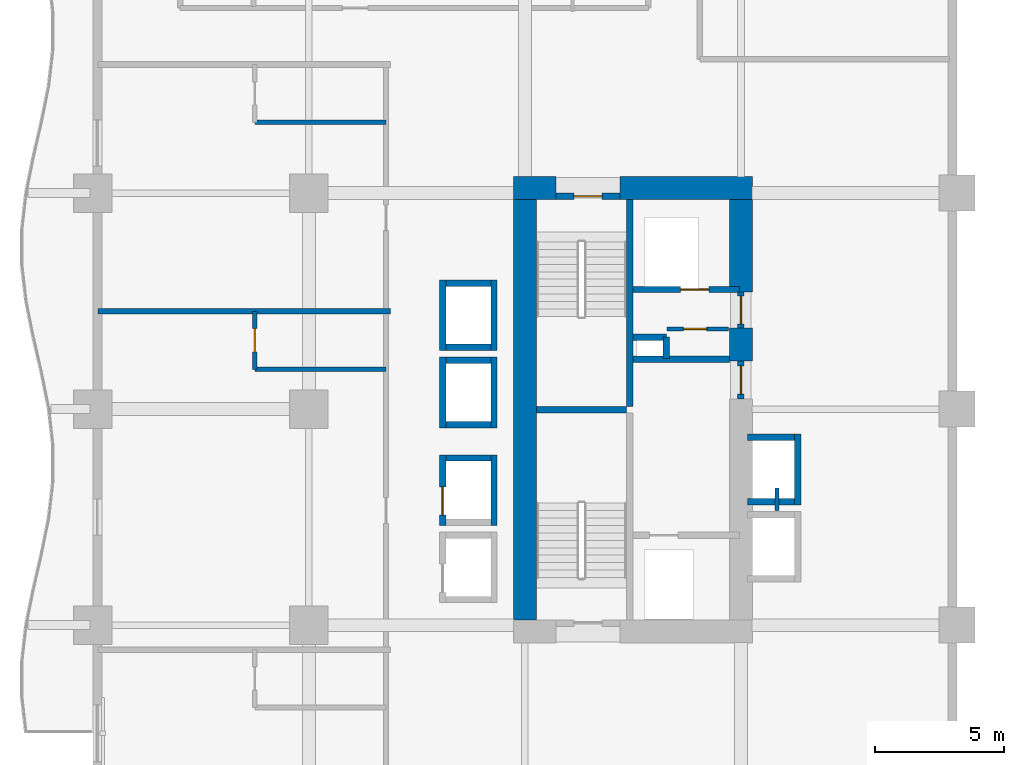
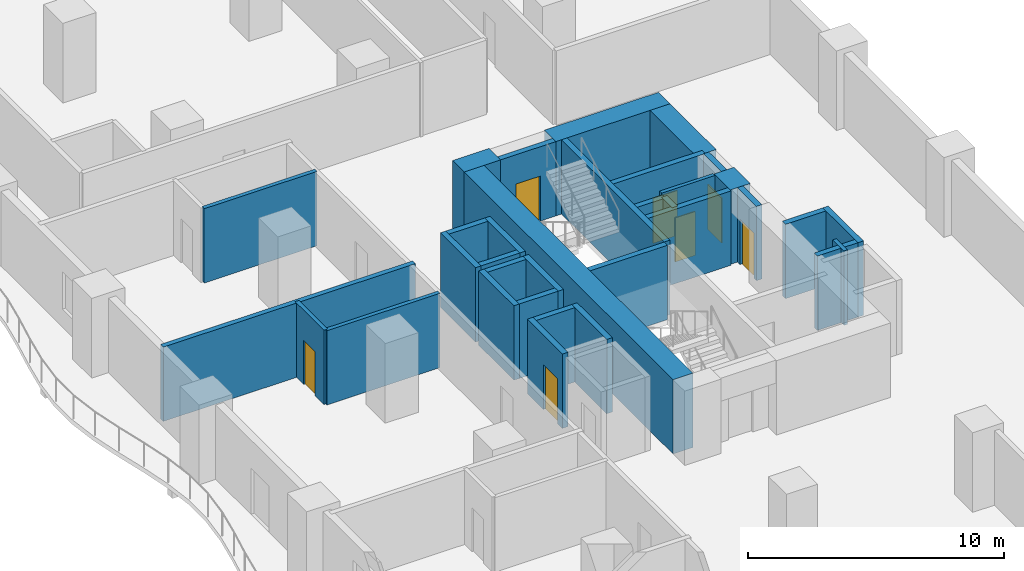
# One storey, part 10 of 22: 34 walls, 7 doors, 7 openings.
"""IFC4 building model written with IfcOpenShell, lengths in metres."""

from ifc_helpers import new_model, si_unit, direction, frame, frame_2d, origin, place, context, subcontext, project, spatial, rectangle, extrude, material, layer, layer_set, type_object, element, fill, save


model = new_model("IFC4")

# Units and contexts
model_context = context("Model", 3, precision=1e-05, world=origin(), true_north=direction((0.0, 1.0)))
body_context = subcontext(model_context, "Body", "Model", "MODEL_VIEW")
ifc_project = project(units=[si_unit("LENGTHUNIT", "METRE"), si_unit("AREAUNIT", "SQUARE_METRE"), si_unit("VOLUMEUNIT", "CUBIC_METRE"), si_unit("PLANEANGLEUNIT", "RADIAN"), si_unit("MASSUNIT", "GRAM", prefix="KILO")], contexts=[model_context])

# Site, building, storey
site_placement = place(None, origin())
site = spatial("IfcSite", under=ifc_project, at=site_placement, CompositionType="ELEMENT")
building_placement = place(site_placement, origin())
building = spatial("IfcBuilding", under=site, at=building_placement, Name="Koriwani Terraces Tower", CompositionType="ELEMENT")
storey_placement = place(building_placement, frame((0.0, 0.0, 43.39990234375)))
storey = spatial("IfcBuildingStorey", under=building, at=storey_placement, Name="L09", CompositionType="ELEMENT", Elevation=43.39990234375)

# Walls
ifc_material_1 = material(Name="Concrete C60/75", Category="concrete")
ifc_layer_1 = layer(ifc_material_1, 0.89990234375, Name="Concrete C60/75")
ifc_layer_set_1 = layer_set([ifc_layer_1], Name="Concrete C60/75")
wall_type_1 = type_object("IfcWallType", Name="WALL_CORE_RC_900", PredefinedType="SHEAR", material=ifc_layer_set_1)
wall_1_placement = place(storey_placement, frame((16.35009765625, 59.0, 0.0), z_axis=(0.0, 0.0, 1.0), x_axis=(1.0, 0.0, 0.0)))
element("IfcWall", 1, at=wall_1_placement, inside=storey, type_object=wall_type_1, Name="L09 West Split Core Shear Wall N1", PredefinedType="SHEAR", context=body_context, shape_type="SweptSolid", body=[
    extrude(rectangle(XDim=1.64990234375, YDim=0.89990234375, at=frame_2d((0.824951171875, 0.0))), origin(), (0.0, 0.0, 1.0), 3.550048828125),
])
wall_2_placement = place(storey_placement, frame((20.5, 59.0, 0.0), z_axis=(0.0, 0.0, 1.0), x_axis=(1.0, 0.0, 0.0)))
element("IfcWall", 2, at=wall_2_placement, inside=storey, type_object=wall_type_1, Name="L09 West Split Core Shear Wall N2", PredefinedType="SHEAR", context=body_context, shape_type="SweptSolid", body=[
    extrude(rectangle(XDim=5.14990234375, YDim=0.89990234375, at=frame_2d((2.574951171875, 0.0))), origin(), (0.0, 0.0, 1.0), 3.550048828125),
])
wall_3_placement = place(storey_placement, frame((16.800048828125, 42.199951171875, 0.0), z_axis=(0.0, 0.0, 1.0), x_axis=(0.0, 1.0, 0.0)))
element("IfcWall", 3, at=wall_3_placement, inside=storey, type_object=wall_type_1, Name="L09 West Split Core Shear Wall W1", PredefinedType="SHEAR", context=body_context, shape_type="SweptSolid", body=[
    extrude(rectangle(XDim=16.35009765625, YDim=0.89990234375, at=frame_2d((8.175048828125, 0.0))), origin(), (0.0, 0.0, 1.0), 3.550048828125),
])
wall_4_placement = place(storey_placement, frame((25.199951171875, 52.280029296875, 0.0), z_axis=(0.0, 0.0, 1.0), x_axis=(0.0, 1.0, 0.0)))
element("IfcWall", 4, at=wall_4_placement, inside=storey, type_object=wall_type_1, Name="L09 West Split Core Shear Wall E2", PredefinedType="SHEAR", context=body_context, shape_type="SweptSolid", body=[
    extrude(rectangle(XDim=1.27001953125, YDim=0.89990234375, at=frame_2d((0.635009765625, 0.0))), origin(), (0.0, 0.0, 1.0), 3.550048828125),
])
wall_5_placement = place(storey_placement, frame((25.199951171875, 54.949951171875, 0.0), z_axis=(0.0, 0.0, 1.0), x_axis=(0.0, 1.0, 0.0)))
element("IfcWall", 5, at=wall_5_placement, inside=storey, type_object=wall_type_1, Name="L09 West Split Core Shear Wall E3", PredefinedType="SHEAR", context=body_context, shape_type="SweptSolid", body=[
    extrude(rectangle(XDim=3.60009765625, YDim=0.89990234375, at=frame_2d((1.800048828125, 0.0))), origin(), (0.0, 0.0, 1.0), 3.550048828125),
])
ifc_material_2 = material(Name="Autoclaved Cellular Concrete Blockwork", Category="masonry")
ifc_layer_2 = layer(ifc_material_2, 0.219970703125, Name="Autoclaved Cellular Concrete Blockwork")
ifc_layer_set_2 = layer_set([ifc_layer_2], Name="Autoclaved Cellular Concrete Blockwork")
wall_type_2 = type_object("IfcWallType", Name="WALL_DEMISING_220", PredefinedType="PARTITIONING", material=ifc_layer_set_2)
wall_6_placement = place(storey_placement, frame((0.199951171875, 54.199951171875, 0.0), z_axis=(0.0, 0.0, 1.0), x_axis=(1.0, 0.0, 0.0)))
element("IfcWall", 6, at=wall_6_placement, inside=storey, type_object=wall_type_2, Name="L09 Interior Wall WDEM-L09-NW-5", PredefinedType="PARTITIONING", context=body_context, shape_type="SweptSolid", body=[
    extrude(rectangle(XDim=11.380126953125, YDim=0.219970703125, at=frame_2d((5.68994140625, 0.0))), origin(), (0.0, 0.0, 1.0), 3.550048828125),
])

# Wall, opening, door
ifc_material_3 = material(Name="Fire-Rated Acoustic Gypsum Partition", Category="masonry")
ifc_layer_3 = layer(ifc_material_3, 0.179931640625, Name="Fire-Rated Acoustic Gypsum Partition")
ifc_layer_set_3 = layer_set([ifc_layer_3], Name="Fire-Rated Acoustic Gypsum Partition")
wall_type_3 = type_object("IfcWallType", Name="WALL_PLUMBING_180", PredefinedType="PLUMBINGWALL", material=ifc_layer_set_3)
wall_7_placement = place(storey_placement, frame((6.300048828125, 51.949951171875, 0.0), z_axis=(0.0, 0.0, 1.0), x_axis=(0.0, 1.0, 0.0)))
wall_7 = element("IfcWall", 7, at=wall_7_placement, inside=storey, type_object=wall_type_3, Name="L09 Interior Wall WBTH1-L09-NW-4", PredefinedType="PLUMBINGWALL", context=body_context, shape_type="SweptSolid", body=[
    extrude(rectangle(XDim=2.25, YDim=0.179931640625, at=frame_2d((1.125, 0.0))), origin(), (0.0, 0.0, 1.0), 3.550048828125),
])
opening_1_placement = place(wall_7_placement, frame((0.675048828125, 0.0, 0.0)))
opening_1 = element("IfcOpeningElement", 8, at=opening_1_placement, cuts=wall_7, Name="Opening D-07", PredefinedType="OPENING", context=body_context, shape_type="SweptSolid", body=[
    extrude(rectangle(XDim=0.89990234375, YDim=2.10009765625, at=frame_2d((0.449951171875, 1.050048828125))), frame((0.0, 0.10009765625, 0.0), z_axis=(0.0, -1.0, 0.0), x_axis=(1.0, 0.0, 0.0)), (0.0, 0.0, 1.0), 0.199951171875),
])
ifc_material_4 = material(Name="Architectural Oak Fire Door", Category="wood")
door_type_1 = type_object("IfcDoorType", Name="DOOR_BATH_INT_900X2100", OperationType="NOTDEFINED", PredefinedType="DOOR", material=ifc_material_4)
door_1_placement = place(opening_1_placement, origin())
door_1 = element("IfcDoor", 9, at=door_1_placement, inside=storey, type_object=door_type_1, Name="En-Suite Bathroom 09NW5 Door", OperationType="SINGLE_SWING_RIGHT", OverallHeight=2.10009765625, OverallWidth=0.89990234375, PredefinedType="DOOR", context=body_context, shape_type="SweptSolid", body=[
    extrude(rectangle(XDim=0.89990234375, YDim=2.10009765625, at=frame_2d((0.449951171875, 1.050048828125))), frame((0.0, 0.02490234375, 0.0), z_axis=(0.0, -1.0, 0.0), x_axis=(1.0, 0.0, 0.0)), (0.0, 0.0, 1.0), 0.050048828125),
])
fill(opening_1, door_1)

# Walls
for number, where, z_axis, x_axis, name in (
    (10, (6.300048828125, 51.949951171875, 0.0), (0.0, 0.0, 1.0), (1.0, 0.0, 0.0), "L09 Interior Wall WBTH2-L09-NW-4"),
    (11, (6.300048828125, 61.550048828125, 0.0), (0.0, 0.0, 1.0), (1.0, 0.0, 0.0), "L09 Interior Wall WBTH2-L09-NW-5"),
):
    element("IfcWall", number, at=place(storey_placement, frame(where, z_axis=z_axis, x_axis=x_axis)), inside=storey, type_object=wall_type_3, Name=name, PredefinedType="PLUMBINGWALL", context=body_context, shape_type="SweptSolid", body=[
        extrude(rectangle(XDim=5.099853515625, YDim=0.179931640625, at=frame_2d((2.5498046875, 0.0))), origin(), (0.0, 0.0, 1.0), 3.550048828125),
    ])
ifc_material_5 = material(Name="Concrete C40/50", Category="concrete")
ifc_layer_4 = layer(ifc_material_5, 0.25, Name="Concrete C40/50")
ifc_layer_set_4 = layer_set([ifc_layer_4], Name="Concrete C40/50")
wall_type_4 = type_object("IfcWallType", Name="WALL_SHAFT_RATED_250", PredefinedType="SOLIDWALL", material=ifc_layer_set_4)
wall_8_placement = place(storey_placement, frame((20.875, 50.5, 0.0), z_axis=(0.0, 0.0, 1.0), x_axis=(0.0, 1.0, 0.0)))
element("IfcWall", 12, at=wall_8_placement, inside=storey, type_object=wall_type_4, Name="L09 West Split Core Web Wall MID2", PredefinedType="SOLIDWALL", context=body_context, shape_type="SweptSolid", body=[
    extrude(rectangle(XDim=8.050048828125, YDim=0.25, at=frame_2d((4.02490234375, 0.0))), origin(), (0.0, 0.0, 1.0), 3.550048828125),
])
wall_9_placement = place(storey_placement, frame((17.25, 50.375, 0.0), z_axis=(0.0, 0.0, 1.0), x_axis=(1.0, 0.0, 0.0)))
element("IfcWall", 13, at=wall_9_placement, inside=storey, type_object=wall_type_4, Name="L09 West Split Core Stair Dividing Wall", PredefinedType="SOLIDWALL", context=body_context, shape_type="SweptSolid", body=[
    extrude(rectangle(XDim=3.5, YDim=0.25, at=frame_2d((1.75, 0.0))), origin(), (0.0, 0.0, 1.0), 3.550048828125),
])

# Wall, opening, door
wall_10_placement = place(storey_placement, frame((18.0, 58.675048828125, 0.0), z_axis=(0.0, 0.0, 1.0), x_axis=(1.0, 0.0, 0.0)))
wall_10 = element("IfcWall", 14, at=wall_10_placement, inside=storey, type_object=wall_type_4, Name="L09 Interior Wall WIN-CW-L09-STN", PredefinedType="SOLIDWALL", context=body_context, shape_type="SweptSolid", body=[
    extrude(rectangle(XDim=2.5, YDim=0.25, at=frame_2d((1.25, 0.0))), origin(), (0.0, 0.0, 1.0), 3.550048828125),
])
opening_2_placement = place(wall_10_placement, frame((0.699951171875, 0.0, 0.0)))
opening_2 = element("IfcOpeningElement", 15, at=opening_2_placement, cuts=wall_10, Name="Opening D-03", PredefinedType="OPENING", context=body_context, shape_type="SweptSolid", body=[
    extrude(rectangle(XDim=1.10009765625, YDim=2.14990234375, at=frame_2d((0.550048828125, 1.074951171875))), frame((0.0, 0.135009765625, 0.0), z_axis=(0.0, -1.0, 0.0), x_axis=(1.0, 0.0, 0.0)), (0.0, 0.0, 1.0), 0.27001953125),
])
ifc_material_6 = material(Name="Steel ASTM A572 Grade 50", Category="steel")
door_type_2 = type_object("IfcDoorType", Name="DOOR_STAIR_FIRE_1100X2150", OperationType="NOTDEFINED", PredefinedType="DOOR", material=ifc_material_6)
door_2_placement = place(opening_2_placement, origin())
door_2 = element("IfcDoor", 16, at=door_2_placement, inside=storey, type_object=door_type_2, Name="L09 Exit Stair ST-W2 Door", OperationType="SINGLE_SWING_RIGHT", OverallHeight=2.14990234375, OverallWidth=1.10009765625, PredefinedType="DOOR", context=body_context, shape_type="SweptSolid", body=[
    extrude(rectangle(XDim=1.10009765625, YDim=2.14990234375, at=frame_2d((0.550048828125, 1.074951171875))), frame((0.0, 0.02490234375, 0.0), z_axis=(0.0, -1.0, 0.0), x_axis=(1.0, 0.0, 0.0)), (0.0, 0.0, 1.0), 0.050048828125),
])
fill(opening_2, door_2)

wall_11_placement = place(storey_placement, frame((25.199951171875, 50.800048828125, 0.0), z_axis=(0.0, 0.0, 1.0), x_axis=(0.0, 1.0, 0.0)))
wall_11 = element("IfcWall", 17, at=wall_11_placement, inside=storey, type_object=wall_type_4, Name="L09 Interior Wall WIN-CW-L09-EP", PredefinedType="SOLIDWALL", context=body_context, shape_type="SweptSolid", body=[
    extrude(rectangle(XDim=1.47998046875, YDim=0.25, at=frame_2d((0.739990234375, 0.0))), origin(), (0.0, 0.0, 1.0), 3.550048828125),
])
opening_3_placement = place(wall_11_placement, frame((0.179931640625, 0.0, 0.0)))
opening_3 = element("IfcOpeningElement", 18, at=opening_3_placement, cuts=wall_11, Name="Opening D-03", PredefinedType="OPENING", context=body_context, shape_type="SweptSolid", body=[
    extrude(rectangle(XDim=1.10009765625, YDim=2.14990234375, at=frame_2d((0.550048828125, 1.074951171875))), frame((0.0, 0.135009765625, 0.0), z_axis=(0.0, -1.0, 0.0), x_axis=(1.0, 0.0, 0.0)), (0.0, 0.0, 1.0), 0.27001953125),
])
door_3_placement = place(opening_3_placement, origin())
door_3 = element("IfcDoor", 19, at=door_3_placement, inside=storey, type_object=door_type_2, Name="L09 West Firefighting Lobby Door", OperationType="SINGLE_SWING_LEFT", OverallHeight=2.14990234375, OverallWidth=1.10009765625, PredefinedType="DOOR", context=body_context, shape_type="SweptSolid", body=[
    extrude(rectangle(XDim=1.10009765625, YDim=2.14990234375, at=frame_2d((0.550048828125, 1.074951171875))), frame((0.0, 0.02490234375, 0.0), z_axis=(0.0, -1.0, 0.0), x_axis=(1.0, 0.0, 0.0)), (0.0, 0.0, 1.0), 0.050048828125),
])
fill(opening_3, door_3)

# Wall
wall_12_placement = place(storey_placement, frame((21.0, 52.340087890625, 0.0), z_axis=(0.0, 0.0, 1.0), x_axis=(1.0, 0.0, 0.0)))
element("IfcWall", 20, at=wall_12_placement, inside=storey, type_object=wall_type_4, Name="L09 Interior Wall WIN-CW-L09-FFN", PredefinedType="SOLIDWALL", context=body_context, shape_type="SweptSolid", body=[
    extrude(rectangle(XDim=3.75, YDim=0.25, at=frame_2d((1.875, 0.0))), origin(), (0.0, 0.0, 1.0), 3.550048828125),
])

# Wall, opening, door
wall_13_placement = place(storey_placement, frame((21.0, 55.050048828125, 0.0), z_axis=(0.0, 0.0, 1.0), x_axis=(1.0, 0.0, 0.0)))
wall_13 = element("IfcWall", 21, at=wall_13_placement, inside=storey, type_object=wall_type_4, Name="L09 Interior Wall WIN-CW-L09-SE", PredefinedType="SOLIDWALL", context=body_context, shape_type="SweptSolid", body=[
    extrude(rectangle(XDim=4.14990234375, YDim=0.25, at=frame_2d((2.074951171875, 0.0))), origin(), (0.0, 0.0, 1.0), 3.550048828125),
])
opening_4_placement = place(wall_13_placement, frame((1.85009765625, 0.0, 0.0)))
opening_4 = element("IfcOpeningElement", 22, at=opening_4_placement, cuts=wall_13, Name="Opening LD-01", PredefinedType="OPENING", context=body_context, shape_type="SweptSolid", body=[
    extrude(rectangle(XDim=1.10009765625, YDim=2.14990234375, at=frame_2d((0.550048828125, 1.074951171875))), frame((0.0, 0.135009765625, 0.0), z_axis=(0.0, -1.0, 0.0), x_axis=(1.0, 0.0, 0.0)), (0.0, 0.0, 1.0), 0.27001953125),
])
door_type_3 = type_object("IfcDoorType", Name="DOOR_LIFT_LANDING_1100X2200", OperationType="NOTDEFINED", PredefinedType="DOOR", material=ifc_material_6)
door_4_placement = place(opening_4_placement, origin())
door_4 = element("IfcDoor", 23, at=door_4_placement, inside=storey, type_object=door_type_3, Name="L09 Goods Lift SE-01 Landing Door", OperationType="SLIDING_TO_LEFT", OverallHeight=2.14990234375, OverallWidth=1.10009765625, PredefinedType="DOOR", context=body_context, shape_type="SweptSolid", body=[
    extrude(rectangle(XDim=1.10009765625, YDim=2.14990234375, at=frame_2d((0.550048828125, 1.074951171875))), frame((0.0, 0.02490234375, 0.0), z_axis=(0.0, -1.0, 0.0), x_axis=(1.0, 0.0, 0.0)), (0.0, 0.0, 1.0), 0.050048828125),
])
fill(opening_4, door_4)

wall_14_placement = place(storey_placement, frame((25.199951171875, 53.550048828125, 0.0), z_axis=(0.0, 0.0, 1.0), x_axis=(0.0, 1.0, 0.0)))
wall_14 = element("IfcWall", 24, at=wall_14_placement, inside=storey, type_object=wall_type_4, Name="L09 Interior Wall WIN-CW-L09-EP2", PredefinedType="SOLIDWALL", context=body_context, shape_type="SweptSolid", body=[
    extrude(rectangle(XDim=1.39990234375, YDim=0.25, at=frame_2d((0.699951171875, 0.0))), origin(), (0.0, 0.0, 1.0), 3.550048828125),
])
opening_5_placement = place(wall_14_placement, frame((0.14990234375, 0.0, 0.0)))
opening_5 = element("IfcOpeningElement", 25, at=opening_5_placement, cuts=wall_14, Name="Opening D-03", PredefinedType="OPENING", context=body_context, shape_type="SweptSolid", body=[
    extrude(rectangle(XDim=1.10009765625, YDim=2.14990234375, at=frame_2d((0.550048828125, 1.074951171875))), frame((0.0, 0.135009765625, 0.0), z_axis=(0.0, -1.0, 0.0), x_axis=(1.0, 0.0, 0.0)), (0.0, 0.0, 1.0), 0.27001953125),
])
door_5_placement = place(opening_5_placement, origin())
door_5 = element("IfcDoor", 26, at=door_5_placement, inside=storey, type_object=door_type_2, Name="L09 West Goods Lift Lobby Door", OperationType="SINGLE_SWING_RIGHT", OverallHeight=2.14990234375, OverallWidth=1.10009765625, PredefinedType="DOOR", context=body_context, shape_type="SweptSolid", body=[
    extrude(rectangle(XDim=1.10009765625, YDim=2.14990234375, at=frame_2d((0.550048828125, 1.074951171875))), frame((0.0, 0.02490234375, 0.0), z_axis=(0.0, -1.0, 0.0), x_axis=(1.0, 0.0, 0.0)), (0.0, 0.0, 1.0), 0.050048828125),
])
fill(opening_5, door_5)

# Walls
wall_15_placement = place(storey_placement, frame((21.0, 53.199951171875, 0.0), z_axis=(0.0, 0.0, 1.0), x_axis=(1.0, 0.0, 0.0)))
element("IfcWall", 27, at=wall_15_placement, inside=storey, type_object=wall_type_4, Name="L09 Interior Wall WIN-CW-L09-RS1", PredefinedType="SOLIDWALL", context=body_context, shape_type="SweptSolid", body=[
    extrude(rectangle(XDim=1.300048828125, YDim=0.25, at=frame_2d((0.64990234375, 0.0))), origin(), (0.0, 0.0, 1.0), 3.550048828125),
])
wall_16_placement = place(storey_placement, frame((22.300048828125, 52.360107421875, 0.0), z_axis=(0.0, 0.0, 1.0), x_axis=(0.0, 1.0, 0.0)))
element("IfcWall", 28, at=wall_16_placement, inside=storey, type_object=wall_type_4, Name="L09 Interior Wall WIN-CW-L09-RS2", PredefinedType="SOLIDWALL", context=body_context, shape_type="SweptSolid", body=[
    extrude(rectangle(XDim=0.83984375, YDim=0.25, at=frame_2d((0.419921875, 0.0))), origin(), (0.0, 0.0, 1.0), 3.550048828125),
])

# Wall, opening, door
wall_17_placement = place(storey_placement, frame((13.60009765625, 45.875, 0.0), z_axis=(0.0, 0.0, 1.0), x_axis=(0.0, 1.0, 0.0)))
wall_17 = element("IfcWall", 29, at=wall_17_placement, inside=storey, type_object=wall_type_4, Name="L09 Interior Wall WIN-LF-PE-L2-L09-F", PredefinedType="SOLIDWALL", context=body_context, shape_type="SweptSolid", body=[
    extrude(rectangle(XDim=2.75, YDim=0.25, at=frame_2d((1.375, 0.0))), origin(), (0.0, 0.0, 1.0), 3.550048828125),
])
opening_6_placement = place(wall_17_placement, frame((0.39990234375, 0.0, 0.0)))
opening_6 = element("IfcOpeningElement", 30, at=opening_6_placement, cuts=wall_17, Name="Opening LD-01", PredefinedType="OPENING", context=body_context, shape_type="SweptSolid", body=[
    extrude(rectangle(XDim=1.10009765625, YDim=2.14990234375, at=frame_2d((0.550048828125, 1.074951171875))), frame((0.0, 0.135009765625, 0.0), z_axis=(0.0, -1.0, 0.0), x_axis=(1.0, 0.0, 0.0)), (0.0, 0.0, 1.0), 0.27001953125),
])
door_6_placement = place(opening_6_placement, origin())
door_6 = element("IfcDoor", 31, at=door_6_placement, inside=storey, type_object=door_type_3, Name="L09 Passenger Lift PE-L2 Landing Door", OperationType="SLIDING_TO_LEFT", OverallHeight=2.14990234375, OverallWidth=1.10009765625, PredefinedType="DOOR", context=body_context, shape_type="SweptSolid", body=[
    extrude(rectangle(XDim=1.10009765625, YDim=2.14990234375, at=frame_2d((0.550048828125, 1.074951171875))), frame((0.0, 0.02490234375, 0.0), z_axis=(0.0, -1.0, 0.0), x_axis=(1.0, 0.0, 0.0)), (0.0, 0.0, 1.0), 0.050048828125),
])
fill(opening_6, door_6)

# Walls
wall_18_placement = place(storey_placement, frame((15.60009765625, 45.875, 0.0), z_axis=(0.0, 0.0, 1.0), x_axis=(0.0, 1.0, 0.0)))
element("IfcWall", 32, at=wall_18_placement, inside=storey, type_object=wall_type_4, Name="L09 Interior Wall WIN-LF-PE-L2-L09-B", PredefinedType="SOLIDWALL", context=body_context, shape_type="SweptSolid", body=[
    extrude(rectangle(XDim=2.75, YDim=0.25, at=frame_2d((1.375, 0.0))), origin(), (0.0, 0.0, 1.0), 3.550048828125),
])
wall_19_placement = place(storey_placement, frame((13.72509765625, 48.5, 0.0), z_axis=(0.0, 0.0, 1.0), x_axis=(1.0, 0.0, 0.0)))
element("IfcWall", 33, at=wall_19_placement, inside=storey, type_object=wall_type_4, Name="L09 Interior Wall WIN-LF-PE-L2-L09-N", PredefinedType="SOLIDWALL", context=body_context, shape_type="SweptSolid", body=[
    extrude(rectangle(XDim=1.75, YDim=0.25, at=frame_2d((0.875, 0.0))), origin(), (0.0, 0.0, 1.0), 3.550048828125),
])
for number, where, z_axis, x_axis, name in (
    (34, (13.60009765625, 49.675048828125, 0.0), (0.0, 0.0, 1.0), (0.0, 1.0, 0.0), "L09 Interior Wall WIN-LF-PE-M1-L09-F"),
    (35, (15.60009765625, 49.675048828125, 0.0), (0.0, 0.0, 1.0), (0.0, 1.0, 0.0), "L09 Interior Wall WIN-LF-PE-M1-L09-B"),
):
    element("IfcWall", number, at=place(storey_placement, frame(where, z_axis=z_axis, x_axis=x_axis)), inside=storey, type_object=wall_type_4, Name=name, PredefinedType="SOLIDWALL", context=body_context, shape_type="SweptSolid", body=[
        extrude(rectangle(XDim=2.75, YDim=0.25, at=frame_2d((1.375, 0.0))), origin(), (0.0, 0.0, 1.0), 3.550048828125),
    ])
for number, where, z_axis, x_axis, name in (
    (36, (13.72509765625, 49.800048828125, 0.0), (0.0, 0.0, 1.0), (1.0, 0.0, 0.0), "L09 Interior Wall WIN-LF-PE-M1-L09-S"),
    (37, (13.72509765625, 52.300048828125, 0.0), (0.0, 0.0, 1.0), (1.0, 0.0, 0.0), "L09 Interior Wall WIN-LF-PE-M1-L09-N"),
):
    element("IfcWall", number, at=place(storey_placement, frame(where, z_axis=z_axis, x_axis=x_axis)), inside=storey, type_object=wall_type_4, Name=name, PredefinedType="SOLIDWALL", context=body_context, shape_type="SweptSolid", body=[
        extrude(rectangle(XDim=1.75, YDim=0.25, at=frame_2d((0.875, 0.0))), origin(), (0.0, 0.0, 1.0), 3.550048828125),
    ])
for number, where, z_axis, x_axis, name in (
    (38, (13.60009765625, 52.675048828125, 0.0), (0.0, 0.0, 1.0), (0.0, 1.0, 0.0), "L09 Interior Wall WIN-LF-PE-M2-L09-F"),
    (39, (15.60009765625, 52.675048828125, 0.0), (0.0, 0.0, 1.0), (0.0, 1.0, 0.0), "L09 Interior Wall WIN-LF-PE-M2-L09-B"),
):
    element("IfcWall", number, at=place(storey_placement, frame(where, z_axis=z_axis, x_axis=x_axis)), inside=storey, type_object=wall_type_4, Name=name, PredefinedType="SOLIDWALL", context=body_context, shape_type="SweptSolid", body=[
        extrude(rectangle(XDim=2.75, YDim=0.25, at=frame_2d((1.375, 0.0))), origin(), (0.0, 0.0, 1.0), 3.550048828125),
    ])
for number, where, z_axis, x_axis, name in (
    (40, (13.72509765625, 52.800048828125, 0.0), (0.0, 0.0, 1.0), (1.0, 0.0, 0.0), "L09 Interior Wall WIN-LF-PE-M2-L09-S"),
    (41, (13.72509765625, 55.300048828125, 0.0), (0.0, 0.0, 1.0), (1.0, 0.0, 0.0), "L09 Interior Wall WIN-LF-PE-M2-L09-N"),
):
    element("IfcWall", number, at=place(storey_placement, frame(where, z_axis=z_axis, x_axis=x_axis)), inside=storey, type_object=wall_type_4, Name=name, PredefinedType="SOLIDWALL", context=body_context, shape_type="SweptSolid", body=[
        extrude(rectangle(XDim=1.75, YDim=0.25, at=frame_2d((0.875, 0.0))), origin(), (0.0, 0.0, 1.0), 3.550048828125),
    ])
wall_20_placement = place(storey_placement, frame((27.39990234375, 46.675048828125, 0.0), z_axis=(0.0, 0.0, 1.0), x_axis=(0.0, 1.0, 0.0)))
element("IfcWall", 42, at=wall_20_placement, inside=storey, type_object=wall_type_4, Name="L09 Interior Wall WIN-LF-PE-H2-L09-F", PredefinedType="SOLIDWALL", context=body_context, shape_type="SweptSolid", body=[
    extrude(rectangle(XDim=2.75, YDim=0.25, at=frame_2d((1.375, 0.0))), origin(), (0.0, 0.0, 1.0), 3.550048828125),
])
for number, where, z_axis, x_axis, name in (
    (43, (25.449951171875, 46.800048828125, 0.0), (0.0, 0.0, 1.0), (1.0, 0.0, 0.0), "L09 Interior Wall WIN-LF-PE-H2-L09-S"),
    (44, (25.449951171875, 49.300048828125, 0.0), (0.0, 0.0, 1.0), (1.0, 0.0, 0.0), "L09 Interior Wall WIN-LF-PE-H2-L09-N"),
):
    element("IfcWall", number, at=place(storey_placement, frame(where, z_axis=z_axis, x_axis=x_axis)), inside=storey, type_object=wall_type_4, Name=name, PredefinedType="SOLIDWALL", context=body_context, shape_type="SweptSolid", body=[
        extrude(rectangle(XDim=1.824951171875, YDim=0.25, at=frame_2d((0.91259765625, 0.0))), origin(), (0.0, 0.0, 1.0), 3.550048828125),
    ])

# Wall, opening, door
ifc_layer_5 = layer(ifc_material_3, 0.159912109375, Name="Fire-Rated Acoustic Gypsum Partition")
ifc_layer_set_5 = layer_set([ifc_layer_5], Name="Fire-Rated Acoustic Gypsum Partition")
wall_type_5 = type_object("IfcWallType", Name="WALL_SUITE_160", PredefinedType="PARTITIONING", material=ifc_layer_set_5)
wall_21_placement = place(storey_placement, frame((22.320068359375, 53.52001953125, 0.0), z_axis=(0.0, 0.0, 1.0), x_axis=(1.0, 0.0, 0.0)))
wall_21 = element("IfcWall", 45, at=wall_21_placement, inside=storey, type_object=wall_type_5, Name="L09 Interior Wall WIN-CW-L09-SV0", PredefinedType="PARTITIONING", context=body_context, shape_type="SweptSolid", body=[
    extrude(rectangle(XDim=2.39990234375, YDim=0.159912109375, at=frame_2d((1.199951171875, 0.0))), origin(), (0.0, 0.0, 1.0), 3.550048828125),
])
opening_7_placement = place(wall_21_placement, frame((0.64990234375, 0.0, 0.0)))
opening_7 = element("IfcOpeningElement", 46, at=opening_7_placement, cuts=wall_21, Name="Opening D-07", PredefinedType="OPENING", context=body_context, shape_type="SweptSolid", body=[
    extrude(rectangle(XDim=0.89990234375, YDim=2.10009765625, at=frame_2d((0.449951171875, 1.050048828125))), frame((0.0, 0.08984375, 0.0), z_axis=(0.0, -1.0, 0.0), x_axis=(1.0, 0.0, 0.0)), (0.0, 0.0, 1.0), 0.179931640625),
])
door_7_placement = place(opening_7_placement, origin())
door_7 = element("IfcDoor", 47, at=door_7_placement, inside=storey, type_object=door_type_1, Name="L09 West Electrical Switch Room Door", OperationType="SINGLE_SWING_LEFT", OverallHeight=2.10009765625, OverallWidth=0.89990234375, PredefinedType="DOOR", context=body_context, shape_type="SweptSolid", body=[
    extrude(rectangle(XDim=0.89990234375, YDim=2.10009765625, at=frame_2d((0.449951171875, 1.050048828125))), frame((0.0, 0.02490234375, 0.0), z_axis=(0.0, -1.0, 0.0), x_axis=(1.0, 0.0, 0.0)), (0.0, 0.0, 1.0), 0.050048828125),
])
fill(opening_7, door_7)

# Wall
wall_22_placement = place(storey_placement, frame((26.60009765625, 46.4599609375, 0.0), z_axis=(0.0, 0.0, 1.0), x_axis=(0.0, 1.0, 0.0)))
element("IfcWall", 48, at=wall_22_placement, inside=storey, type_object=wall_type_5, Name="L09 Interior Wall WIN-LF-PEH12-MID-L09", PredefinedType="PARTITIONING", context=body_context, shape_type="SweptSolid", body=[
    extrude(rectangle(XDim=0.880126953125, YDim=0.159912109375, at=frame_2d((0.43994140625, 0.0))), origin(), (0.0, 0.0, 1.0), 3.550048828125),
])

save(model, "model.ifc")
